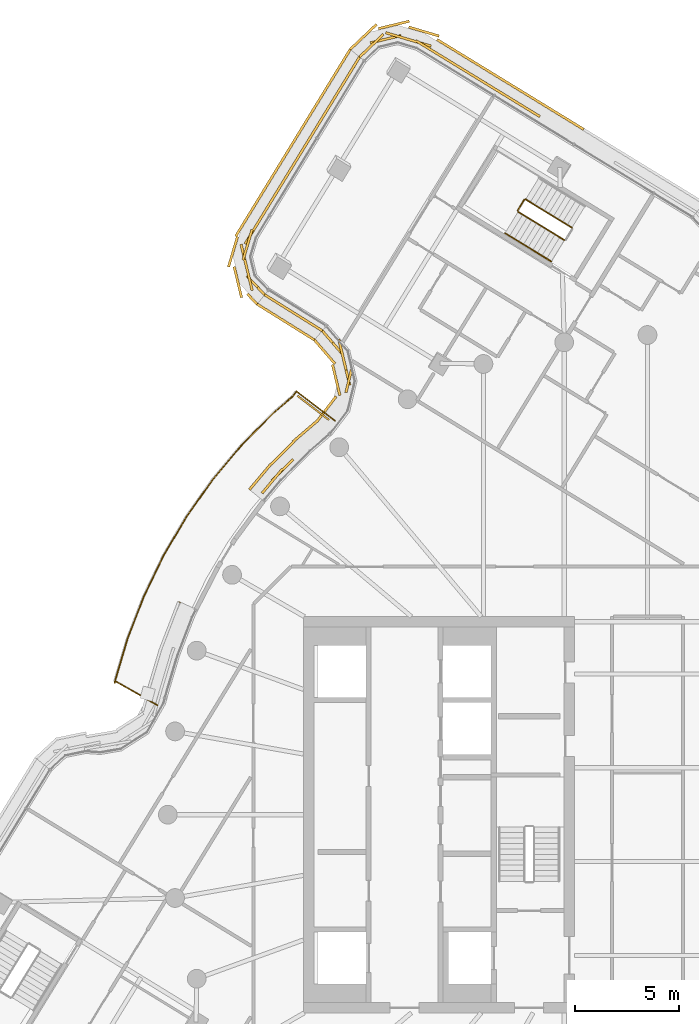
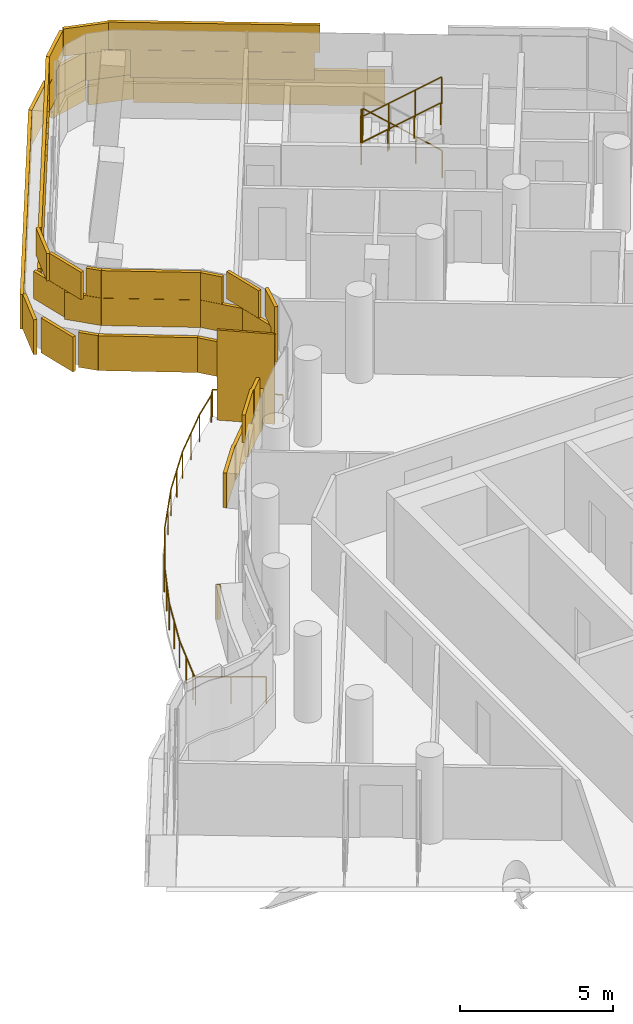
# One storey, part 25 of 27: 5 railings, 4 coverings, 1 shading device.
"""IFC4 building model written with IfcOpenShell, lengths in metres."""

from ifc_helpers import new_model, si_unit, direction, frame, origin, origin_2d, place, context, subcontext, project, spatial, rectangle, circle, extrude, material, layer, layer_set, type_object, element, save


model = new_model("IFC4")

# Units and contexts
model_context = context("Model", 3, precision=1e-05, world=origin(), true_north=direction((0.0, 1.0)))
body_context = subcontext(model_context, "Body", "Model", "MODEL_VIEW")
ifc_project = project(units=[si_unit("LENGTHUNIT", "METRE"), si_unit("AREAUNIT", "SQUARE_METRE"), si_unit("VOLUMEUNIT", "CUBIC_METRE"), si_unit("PLANEANGLEUNIT", "RADIAN"), si_unit("MASSUNIT", "GRAM", prefix="KILO")], contexts=[model_context])

# Site, building, storey
site_placement = place(None, origin())
site = spatial("IfcSite", under=ifc_project, at=site_placement, CompositionType="ELEMENT")
building_placement = place(site_placement, origin())
building = spatial("IfcBuilding", under=site, at=building_placement, Name="Tamarind Cross Interchange Tower", CompositionType="ELEMENT")
storey_placement = place(building_placement, frame((0.0, 0.0, 245.10009765625)))
storey = spatial("IfcBuildingStorey", under=building, at=storey_placement, Name="L62", CompositionType="ELEMENT", Elevation=245.10009765625)

# Railing
ifc_material_1 = material(Name="Stainless steel and laminated glass", Category="steel")
railing_type_1 = type_object("IfcRailingType", Name="Balcony guard", PredefinedType="BALUSTRADE", material=ifc_material_1)
railing_1_placement = place(storey_placement, frame((-14.9892578125, 18.888671875, 0.0)))
element("IfcRailing", 1, at=railing_1_placement, inside=storey, type_object=railing_type_1, Name="Balcony guard 02", PredefinedType="BALUSTRADE", context=body_context, shape_type="SweptSolid", body=[
    extrude(circle(Radius=0.02490234375, at=origin_2d()), frame((0.0, 0.0, 1.0751953125), z_axis=(-0.793936504963, 0.608000679347, 0.0), x_axis=(-0.608000679347, -0.793936504963, 0.0)), (0.0, 0.0, 1.0), 2.320068359375),
    extrude(circle(Radius=0.02490234375, at=origin_2d()), frame((-1.842041015625, 1.41064453125, 1.0751953125), z_axis=(-0.607560108369, -0.794273702648, 0.0), x_axis=(0.794273702648, -0.607560108369, 0.0)), (0.0, 0.0, 1.0), 0.32958984375),
    extrude(circle(Radius=0.02490234375, at=origin_2d()), frame((-2.042236328125, 1.14892578125, 1.0751953125), z_axis=(-0.758854375951, -0.651260344332, 0.0), x_axis=(0.651260344332, -0.758854375951, 0.0)), (0.0, 0.0, 1.0), 1.1572265625),
    extrude(circle(Radius=0.02490234375, at=origin_2d()), frame((-2.92041015625, 0.395263671875, 1.0751953125), z_axis=(-0.704065988125, -0.710134553705, 0.0), x_axis=(0.710134553705, -0.704065988125, 0.0)), (0.0, 0.0, 1.0), 2.17236328125),
    extrude(circle(Radius=0.02490234375, at=origin_2d()), frame((-4.449951171875, -1.1474609375, 1.0751953125), z_axis=(-0.642984125922, -0.765879503455, 0.0), x_axis=(0.765879503455, -0.642984125922, 0.0)), (0.0, 0.0, 1.0), 2.17529296875),
    extrude(circle(Radius=0.02490234375, at=origin_2d()), frame((-5.8486328125, -2.8134765625, 1.0751953125), z_axis=(-0.577590617379, -0.81632657602, 0.0), x_axis=(0.81632657602, -0.577590617379, 0.0)), (0.0, 0.0, 1.0), 2.175048828125),
    extrude(circle(Radius=0.02490234375, at=origin_2d()), frame((-7.10498046875, -4.589111328125, 1.0751953125), z_axis=(-0.508226290333, -0.861223570169, 0.0), x_axis=(0.861223570169, -0.508226290333, 0.0)), (0.0, 0.0, 1.0), 2.175048828125),
    extrude(circle(Radius=0.02490234375, at=origin_2d()), frame((-8.21044921875, -6.46240234375, 1.0751953125), z_axis=(-0.435276325285, -0.90029690694, 0.0), x_axis=(0.90029690694, -0.435276325285, 0.0)), (0.0, 0.0, 1.0), 2.175048828125),
    extrude(circle(Radius=0.02490234375, at=origin_2d()), frame((-9.1572265625, -8.420654296875, 1.0751953125), z_axis=(-0.359529307409, -0.933133793791, 0.0), x_axis=(0.933133793791, -0.359529307409, 0.0)), (0.0, 0.0, 1.0), 2.170166015625),
    extrude(circle(Radius=0.02490234375, at=origin_2d()), frame((-9.9375, -10.44580078125, 1.0751953125), z_axis=(-0.285322746113, -0.95843149497, 0.0), x_axis=(0.95843149497, -0.285322746113, 0.0)), (0.0, 0.0, 1.0), 1.891845703125),
    extrude(circle(Radius=0.02490234375, at=origin_2d()), frame((-10.477294921875, -12.259033203125, 1.0751953125), z_axis=(-0.265191013099, -0.964195896367, 0.0), x_axis=(0.964195896367, -0.265191013099, 0.0)), (0.0, 0.0, 1.0), 0.32861328125),
    extrude(circle(Radius=0.02490234375, at=origin_2d()), frame((-10.564453125, -12.575927734375, 1.0751953125), z_axis=(0.495334548853, 0.868702299245, 0.0), x_axis=(-0.868702299245, 0.495334548853, 0.0)), (0.0, 0.0, 1.0), 0.09814453125),
    extrude(circle(Radius=0.02490234375, at=origin_2d()), frame((-10.515869140625, -12.49072265625, 1.0751953125), z_axis=(0.868424395433, -0.495821610478, 0.0), x_axis=(0.495821610478, 0.868424395433, 0.0)), (0.0, 0.0, 1.0), 2.320068359375),
    extrude(circle(Radius=0.02001953125, at=origin_2d()), origin(), (0.0, 0.0, 1.0), 1.050048828125),
    extrude(circle(Radius=0.02001953125, at=origin_2d()), frame((-0.9208984375, 0.705322265625, 0.0)), (0.0, 0.0, 1.0), 1.050048828125),
    extrude(circle(Radius=0.02001953125, at=origin_2d()), frame((-1.842041015625, 1.41064453125, 0.0)), (0.0, 0.0, 1.0), 1.050048828125),
    extrude(circle(Radius=0.02001953125, at=origin_2d()), frame((-2.042236328125, 1.14892578125, 0.0)), (0.0, 0.0, 1.0), 1.050048828125),
    extrude(circle(Radius=0.02001953125, at=origin_2d()), frame((-2.92041015625, 0.395263671875, 0.0)), (0.0, 0.0, 1.0), 1.050048828125),
    extrude(circle(Radius=0.02001953125, at=origin_2d()), frame((-3.68505859375, -0.3759765625, 0.0)), (0.0, 0.0, 1.0), 1.050048828125),
    extrude(circle(Radius=0.02001953125, at=origin_2d()), frame((-4.449951171875, -1.1474609375, 0.0)), (0.0, 0.0, 1.0), 1.050048828125),
    extrude(circle(Radius=0.02001953125, at=origin_2d()), frame((-5.1494140625, -1.98046875, 0.0)), (0.0, 0.0, 1.0), 1.050048828125),
    extrude(circle(Radius=0.02001953125, at=origin_2d()), frame((-5.8486328125, -2.8134765625, 0.0)), (0.0, 0.0, 1.0), 1.050048828125),
    extrude(circle(Radius=0.02001953125, at=origin_2d()), frame((-6.476806640625, -3.701171875, 0.0)), (0.0, 0.0, 1.0), 1.050048828125),
    extrude(circle(Radius=0.02001953125, at=origin_2d()), frame((-7.10498046875, -4.589111328125, 0.0)), (0.0, 0.0, 1.0), 1.050048828125),
    extrude(circle(Radius=0.02001953125, at=origin_2d()), frame((-7.65771484375, -5.52587890625, 0.0)), (0.0, 0.0, 1.0), 1.050048828125),
    extrude(circle(Radius=0.02001953125, at=origin_2d()), frame((-8.21044921875, -6.46240234375, 0.0)), (0.0, 0.0, 1.0), 1.050048828125),
    extrude(circle(Radius=0.02001953125, at=origin_2d()), frame((-8.683837890625, -7.44140625, 0.0)), (0.0, 0.0, 1.0), 1.050048828125),
    extrude(circle(Radius=0.02001953125, at=origin_2d()), frame((-9.1572265625, -8.420654296875, 0.0)), (0.0, 0.0, 1.0), 1.050048828125),
    extrude(circle(Radius=0.02001953125, at=origin_2d()), frame((-9.54736328125, -9.43310546875, 0.0)), (0.0, 0.0, 1.0), 1.050048828125),
    extrude(circle(Radius=0.02001953125, at=origin_2d()), frame((-9.9375, -10.44580078125, 0.0)), (0.0, 0.0, 1.0), 1.050048828125),
    extrude(circle(Radius=0.02001953125, at=origin_2d()), frame((-10.20751953125, -11.3525390625, 0.0)), (0.0, 0.0, 1.0), 1.050048828125),
    extrude(circle(Radius=0.02001953125, at=origin_2d()), frame((-10.477294921875, -12.259033203125, 0.0)), (0.0, 0.0, 1.0), 1.050048828125),
    extrude(circle(Radius=0.02001953125, at=origin_2d()), frame((-10.564453125, -12.575927734375, 0.0)), (0.0, 0.0, 1.0), 1.050048828125),
    extrude(circle(Radius=0.02001953125, at=origin_2d()), frame((-10.515869140625, -12.49072265625, 0.0)), (0.0, 0.0, 1.0), 1.050048828125),
    extrude(circle(Radius=0.02001953125, at=origin_2d()), frame((-9.50830078125, -13.06591796875, 0.0)), (0.0, 0.0, 1.0), 1.050048828125),
    extrude(circle(Radius=0.02001953125, at=origin_2d()), frame((-8.5009765625, -13.64111328125, 0.0)), (0.0, 0.0, 1.0), 1.050048828125),
])

# Shading device
ifc_material_2 = material(Name="Bronze-finish aluminium louvre", Category="aluminium")
ifc_layer_1 = layer(ifc_material_2, 0.080078125)
ifc_layer_set_1 = layer_set([ifc_layer_1], Name="Bronze-finish aluminium louvre")
shading_device_type = type_object("IfcShadingDeviceType", Name="Operable louvre bay", PredefinedType="JALOUSIE", material=ifc_layer_set_1)
shading_device_placement = place(storey_placement, origin())
element("IfcShadingDevice", 2, at=shading_device_placement, inside=storey, type_object=shading_device_type, Name="LVR-L62-BAL02", PredefinedType="JALOUSIE", context=body_context, shape_type="SweptSolid", body=[
    extrude(rectangle(XDim=1.89990234375, YDim=0.080078125, at=origin_2d()), frame((-16.027099609375, 19.507080078125, -0.000244140625), z_axis=(0.0, 0.0, 1.0), x_axis=(-0.793963090259, 0.607965962293, 0.0)), (0.0, 0.0, 1.0), 3.60009765625),
])

# Railings
ifc_material_3 = material(Name="Stair guard")
railing_type_2 = type_object("IfcRailingType", Name="Stair guard", PredefinedType="GUARDRAIL", material=ifc_material_3)
railing_2_placement = place(storey_placement, frame((-3.622314453125, 28.1474609375, 0.16357421875)))
element("IfcRailing", 3, at=railing_2_placement, inside=storey, type_object=railing_type_2, Name="L62 ST4 stair guard 1", PredefinedType="GUARDRAIL", context=body_context, shape_type="SweptSolid", body=[
    extrude(circle(Radius=0.02392578125, at=origin_2d()), frame((0.0, 0.0, 1.076171875), z_axis=(-0.721696093843, 0.44210938994, 0.532629360305), x_axis=(-0.522372679878, -0.852717293901, 0.0)), (0.0, 0.0, 1.0), 3.072021484375),
    extrude(circle(Radius=0.02099609375, at=origin_2d()), origin(), (0.0, 0.0, 1.0), 1.052001953125),
    extrude(circle(Radius=0.02099609375, at=origin_2d()), frame((-0.739013671875, 0.45263671875, 0.54541015625)), (0.0, 0.0, 1.0), 1.052001953125),
    extrude(circle(Radius=0.02099609375, at=origin_2d()), frame((-1.47802734375, 0.905517578125, 1.0908203125)), (0.0, 0.0, 1.0), 1.052001953125),
    extrude(circle(Radius=0.02099609375, at=origin_2d()), frame((-2.217041015625, 1.358154296875, 1.63623046875)), (0.0, 0.0, 1.0), 1.052001953125),
])
railing_3_placement = place(storey_placement, frame((-5.907958984375, 29.4892578125, 1.7998046875)))
element("IfcRailing", 4, at=railing_3_placement, inside=storey, type_object=railing_type_2, Name="L62 ST4 stair guard 2", PredefinedType="GUARDRAIL", context=body_context, shape_type="SweptSolid", body=[
    extrude(circle(Radius=0.02392578125, at=origin_2d()), frame((0.0, 0.0, 1.076171875), z_axis=(-0.522371246556, -0.852718171949, 0.0), x_axis=(0.852718171949, -0.522371246556, 0.0)), (0.0, 0.0, 1.0), 0.60009765625),
    extrude(circle(Radius=0.02099609375, at=origin_2d()), origin(), (0.0, 0.0, 1.0), 1.052001953125),
    extrude(circle(Radius=0.02099609375, at=origin_2d()), frame((-0.3134765625, -0.51171875, 0.0)), (0.0, 0.0, 1.0), 1.052001953125),
])
railing_4_placement = place(storey_placement, frame((-6.204833984375, 28.90869140625, 1.963623046875)))
element("IfcRailing", 5, at=railing_4_placement, inside=storey, type_object=railing_type_2, Name="L62 ST4 stair guard 3", PredefinedType="GUARDRAIL", context=body_context, shape_type="SweptSolid", body=[
    extrude(circle(Radius=0.02392578125, at=origin_2d()), frame((0.0, 0.0, 1.076171875), z_axis=(0.721696093843, -0.44210938994, 0.532629360305), x_axis=(0.522372679878, 0.852717293901, 0.0)), (0.0, 0.0, 1.0), 3.072021484375),
    extrude(circle(Radius=0.02099609375, at=origin_2d()), origin(), (0.0, 0.0, 1.0), 1.052001953125),
    extrude(circle(Radius=0.02099609375, at=origin_2d()), frame((0.739013671875, -0.45263671875, 0.54541015625)), (0.0, 0.0, 1.0), 1.052001953125),
    extrude(circle(Radius=0.02099609375, at=origin_2d()), frame((1.47802734375, -0.905517578125, 1.0908203125)), (0.0, 0.0, 1.0), 1.052001953125),
    extrude(circle(Radius=0.02099609375, at=origin_2d()), frame((2.217041015625, -1.358154296875, 1.63623046875)), (0.0, 0.0, 1.0), 1.052001953125),
])
ifc_material_4 = material(Name="Stair handrail")
railing_type_3 = type_object("IfcRailingType", Name="Stair handrail", PredefinedType="HANDRAIL", material=ifc_material_4)
railing_5_placement = place(storey_placement, frame((-6.831787109375, 27.885498046875, 1.963623046875)))
element("IfcRailing", 6, at=railing_5_placement, inside=storey, type_object=railing_type_3, Name="L62 ST4 stair handrail 2", PredefinedType="HANDRAIL", context=body_context, shape_type="SweptSolid", body=[
    extrude(circle(Radius=0.02392578125, at=origin_2d()), frame((0.0, 0.0, 0.8759765625), z_axis=(0.721696093843, -0.44210938994, 0.532629360305), x_axis=(0.522372679878, 0.852717293901, 0.0)), (0.0, 0.0, 1.0), 3.072021484375),
    extrude(circle(Radius=0.02099609375, at=origin_2d()), origin(), (0.0, 0.0, 1.0), 0.851806640625),
    extrude(circle(Radius=0.02099609375, at=origin_2d()), frame((0.739013671875, -0.45263671875, 0.54541015625)), (0.0, 0.0, 1.0), 0.851806640625),
    extrude(circle(Radius=0.02099609375, at=origin_2d()), frame((1.47802734375, -0.905517578125, 1.0908203125)), (0.0, 0.0, 1.0), 0.851806640625),
    extrude(circle(Radius=0.02099609375, at=origin_2d()), frame((2.217041015625, -1.358154296875, 1.63623046875)), (0.0, 0.0, 1.0), 0.851806640625),
])

# Coverings
ifc_material_5 = material(Name="Terracotta", Category="masonry")
ifc_layer_2 = layer(ifc_material_5, 0.1201171875)
ifc_layer_set_2 = layer_set([ifc_layer_2], Name="Terracotta")
covering_type = type_object("IfcCoveringType", Name="Terracotta baguette screen unit", PredefinedType="MOLDING", material=ifc_layer_set_2)
covering_1_placement = place(storey_placement, origin())
element("IfcCovering", 7, at=covering_1_placement, inside=storey, type_object=covering_type, Name="SCR-L62-00-00", PredefinedType="MOLDING", context=body_context, shape_type="SweptSolid", body=[
    extrude(rectangle(XDim=1.510009765625, YDim=0.1201171875, at=origin_2d()), frame((-14.19580078125, 35.694091796875, 1.40380859375), z_axis=(0.0, 0.0, 1.0), x_axis=(-0.522367602426, -0.852720404316, 0.0)), (0.0, 0.0, 1.0), 1.092041015625),
    extrude(rectangle(XDim=1.52001953125, YDim=0.1201171875, at=origin_2d()), frame((-14.979248046875, 34.4150390625, 1.40380859375), z_axis=(0.0, 0.0, 1.0), x_axis=(-0.522367602426, -0.852720404316, 0.0)), (0.0, 0.0, 1.0), 1.092041015625),
    extrude(rectangle(XDim=1.52001953125, YDim=0.1201171875, at=origin_2d()), frame((-15.762939453125, 33.135986328125, 1.40380859375), z_axis=(0.0, 0.0, 1.0), x_axis=(-0.522367602426, -0.852720404316, 0.0)), (0.0, 0.0, 1.0), 1.092041015625),
    extrude(rectangle(XDim=1.52001953125, YDim=0.1201171875, at=origin_2d()), frame((-16.54638671875, 31.85693359375, 1.40380859375), z_axis=(0.0, 0.0, 1.0), x_axis=(-0.522367602426, -0.852720404316, 0.0)), (0.0, 0.0, 1.0), 1.092041015625),
    extrude(rectangle(XDim=1.52001953125, YDim=0.1201171875, at=origin_2d()), frame((-17.330078125, 30.577880859375, 1.40380859375), z_axis=(0.0, 0.0, 1.0), x_axis=(-0.522367602426, -0.852720404316, 0.0)), (0.0, 0.0, 1.0), 1.092041015625),
    extrude(rectangle(XDim=1.52001953125, YDim=0.1201171875, at=origin_2d()), frame((-18.113525390625, 29.298828125, 1.40380859375), z_axis=(0.0, 0.0, 1.0), x_axis=(-0.522367602426, -0.852720404316, 0.0)), (0.0, 0.0, 1.0), 1.092041015625),
    extrude(rectangle(XDim=1.52001953125, YDim=0.1201171875, at=origin_2d()), frame((-18.897216796875, 28.01953125, 1.40380859375), z_axis=(0.0, 0.0, 1.0), x_axis=(-0.522367602426, -0.852720404316, 0.0)), (0.0, 0.0, 1.0), 1.092041015625),
    extrude(rectangle(XDim=1.52001953125, YDim=0.1201171875, at=origin_2d()), frame((-19.307861328125, 26.6083984375, 1.40380859375), z_axis=(0.0, 0.0, 1.0), x_axis=(0.2335947064, -0.972334054295, 0.0)), (0.0, 0.0, 1.0), 1.092041015625),
    extrude(rectangle(XDim=1.25927734375, YDim=0.1201171875, at=origin_2d()), frame((-18.783935546875, 25.3818359375, 1.40380859375), z_axis=(0.0, 0.0, 1.0), x_axis=(0.68846597708, -0.725268638784, 0.0)), (0.0, 0.0, 1.0), 1.092041015625),
    extrude(rectangle(XDim=0.760009765625, YDim=0.1201171875, at=origin_2d()), frame((-14.0, 36.013916015625, 2.50390625), z_axis=(0.0, 0.0, 1.0), x_axis=(-0.522367602426, -0.852720404316, 0.0)), (0.0, 0.0, 1.0), 1.092041015625),
    extrude(rectangle(XDim=1.52001953125, YDim=0.1201171875, at=origin_2d()), frame((-14.587646484375, 35.0546875, 2.50390625), z_axis=(0.0, 0.0, 1.0), x_axis=(-0.522367602426, -0.852720404316, 0.0)), (0.0, 0.0, 1.0), 1.092041015625),
    extrude(rectangle(XDim=1.52001953125, YDim=0.1201171875, at=origin_2d()), frame((-15.37109375, 33.775634765625, 2.50390625), z_axis=(0.0, 0.0, 1.0), x_axis=(-0.522367602426, -0.852720404316, 0.0)), (0.0, 0.0, 1.0), 1.092041015625),
    extrude(rectangle(XDim=1.52001953125, YDim=0.1201171875, at=origin_2d()), frame((-16.15478515625, 32.496337890625, 2.50390625), z_axis=(0.0, 0.0, 1.0), x_axis=(-0.522367602426, -0.852720404316, 0.0)), (0.0, 0.0, 1.0), 1.092041015625),
    extrude(rectangle(XDim=1.52001953125, YDim=0.1201171875, at=origin_2d()), frame((-16.938232421875, 31.21728515625, 2.50390625), z_axis=(0.0, 0.0, 1.0), x_axis=(-0.522367602426, -0.852720404316, 0.0)), (0.0, 0.0, 1.0), 1.092041015625),
    extrude(rectangle(XDim=1.52001953125, YDim=0.1201171875, at=origin_2d()), frame((-17.7216796875, 29.938232421875, 2.50390625), z_axis=(0.0, 0.0, 1.0), x_axis=(-0.522367602426, -0.852720404316, 0.0)), (0.0, 0.0, 1.0), 1.092041015625),
    extrude(rectangle(XDim=1.52001953125, YDim=0.1201171875, at=origin_2d()), frame((-18.50537109375, 28.6591796875, 2.50390625), z_axis=(0.0, 0.0, 1.0), x_axis=(-0.522367602426, -0.852720404316, 0.0)), (0.0, 0.0, 1.0), 1.092041015625),
    extrude(rectangle(XDim=1.52001953125, YDim=0.1201171875, at=origin_2d()), frame((-19.17529296875, 27.32958984375, 2.50390625), z_axis=(0.0, 0.0, 1.0), x_axis=(-0.283868077215, -0.958863345184, 0.0)), (0.0, 0.0, 1.0), 1.092041015625),
    extrude(rectangle(XDim=1.52001953125, YDim=0.1201171875, at=origin_2d()), frame((-19.1328125, 25.879150390625, 2.50390625), z_axis=(0.0, 0.0, 1.0), x_axis=(0.2335947064, -0.972334054295, 0.0)), (0.0, 0.0, 1.0), 1.092041015625),
    extrude(rectangle(XDim=0.50927734375, YDim=0.1201171875, at=origin_2d()), frame((-18.525634765625, 25.10986328125, 2.50390625), z_axis=(0.0, 0.0, 1.0), x_axis=(0.68846597708, -0.725268638784, 0.0)), (0.0, 0.0, 1.0), 1.092041015625),
    extrude(rectangle(XDim=1.510009765625, YDim=0.1201171875, at=origin_2d()), frame((-14.6484375, 36.05419921875, 0.00390625), z_axis=(0.0, 0.0, 1.0), x_axis=(-0.522367602426, -0.852720404316, 0.0)), (0.0, 0.0, 1.0), 1.39208984375),
    extrude(rectangle(XDim=1.52001953125, YDim=0.1201171875, at=origin_2d()), frame((-15.429443359375, 34.779296875, 0.00390625), z_axis=(0.0, 0.0, 1.0), x_axis=(-0.522367602426, -0.852720404316, 0.0)), (0.0, 0.0, 1.0), 1.39208984375),
    extrude(rectangle(XDim=1.52001953125, YDim=0.1201171875, at=origin_2d()), frame((-16.212890625, 33.500244140625, 0.00390625), z_axis=(0.0, 0.0, 1.0), x_axis=(-0.522367602426, -0.852720404316, 0.0)), (0.0, 0.0, 1.0), 1.39208984375),
    extrude(rectangle(XDim=1.52001953125, YDim=0.1201171875, at=origin_2d()), frame((-16.996337890625, 32.22119140625, 0.00390625), z_axis=(0.0, 0.0, 1.0), x_axis=(-0.522367602426, -0.852720404316, 0.0)), (0.0, 0.0, 1.0), 1.39208984375),
    extrude(rectangle(XDim=1.52001953125, YDim=0.1201171875, at=origin_2d()), frame((-17.780029296875, 30.942138671875, 0.00390625), z_axis=(0.0, 0.0, 1.0), x_axis=(-0.522367602426, -0.852720404316, 0.0)), (0.0, 0.0, 1.0), 1.39208984375),
    extrude(rectangle(XDim=1.52001953125, YDim=0.1201171875, at=origin_2d()), frame((-18.5634765625, 29.6630859375, 0.00390625), z_axis=(0.0, 0.0, 1.0), x_axis=(-0.522367602426, -0.852720404316, 0.0)), (0.0, 0.0, 1.0), 1.39208984375),
    extrude(rectangle(XDim=1.52001953125, YDim=0.1201171875, at=origin_2d()), frame((-19.34716796875, 28.384033203125, 0.00390625), z_axis=(0.0, 0.0, 1.0), x_axis=(-0.522367602426, -0.852720404316, 0.0)), (0.0, 0.0, 1.0), 1.39208984375),
    extrude(rectangle(XDim=1.52001953125, YDim=0.1201171875, at=origin_2d()), frame((-19.874267578125, 26.99072265625, 0.00390625), z_axis=(0.0, 0.0, 1.0), x_axis=(-0.283868077215, -0.958863345184, 0.0)), (0.0, 0.0, 1.0), 1.39208984375),
    extrude(rectangle(XDim=1.52001953125, YDim=0.1201171875, at=origin_2d()), frame((-19.640380859375, 25.53515625, 0.00390625), z_axis=(0.0, 0.0, 1.0), x_axis=(0.2335947064, -0.972334054295, 0.0)), (0.0, 0.0, 1.0), 1.39208984375),
    extrude(rectangle(XDim=0.67431640625, YDim=0.1201171875, at=origin_2d()), frame((-18.951904296875, 24.725341796875, 0.00390625), z_axis=(0.0, 0.0, 1.0), x_axis=(0.68846597708, -0.725268638784, 0.0)), (0.0, 0.0, 1.0), 1.39208984375),
])
covering_2_placement = place(storey_placement, origin())
element("IfcCovering", 8, at=covering_2_placement, inside=storey, type_object=covering_type, Name="SCR-L62-01-00", PredefinedType="MOLDING", context=body_context, shape_type="SweptSolid", body=[
    extrude(rectangle(XDim=1.510009765625, YDim=0.1201171875, at=origin_2d()), frame((-17.717529296875, 24.53173828125, 1.40380859375), z_axis=(0.0, 0.0, 1.0), x_axis=(0.84825181928, -0.529593099548, 0.0)), (0.0, 0.0, 1.0), 1.092041015625),
    extrude(rectangle(XDim=1.52001953125, YDim=0.1201171875, at=origin_2d()), frame((-16.4453125, 23.7373046875, 1.40380859375), z_axis=(0.0, 0.0, 1.0), x_axis=(0.84825181928, -0.529593099548, 0.0)), (0.0, 0.0, 1.0), 1.092041015625),
    extrude(rectangle(XDim=0.263427734375, YDim=0.1201171875, at=origin_2d()), frame((-15.70166015625, 23.27294921875, 1.40380859375), z_axis=(0.0, 0.0, 1.0), x_axis=(0.84825181928, -0.529593099548, 0.0)), (0.0, 0.0, 1.0), 1.092041015625),
    extrude(rectangle(XDim=0.760009765625, YDim=0.1201171875, at=origin_2d()), frame((-18.03564453125, 24.730224609375, 2.50390625), z_axis=(0.0, 0.0, 1.0), x_axis=(0.84825181928, -0.529593099548, 0.0)), (0.0, 0.0, 1.0), 1.092041015625),
    extrude(rectangle(XDim=1.52001953125, YDim=0.1201171875, at=origin_2d()), frame((-17.08154296875, 24.134521484375, 2.50390625), z_axis=(0.0, 0.0, 1.0), x_axis=(0.84825181928, -0.529593099548, 0.0)), (0.0, 0.0, 1.0), 1.092041015625),
    extrude(rectangle(XDim=1.013427734375, YDim=0.1201171875, at=origin_2d()), frame((-16.01953125, 23.4716796875, 2.50390625), z_axis=(0.0, 0.0, 1.0), x_axis=(0.84825181928, -0.529593099548, 0.0)), (0.0, 0.0, 1.0), 1.092041015625),
    extrude(rectangle(XDim=1.510009765625, YDim=0.1201171875, at=origin_2d()), frame((-18.079345703125, 24.080810546875, 0.00390625), z_axis=(0.0, 0.0, 1.0), x_axis=(0.84825181928, -0.529593099548, 0.0)), (0.0, 0.0, 1.0), 1.39208984375),
    extrude(rectangle(XDim=1.52001953125, YDim=0.1201171875, at=origin_2d()), frame((-16.811279296875, 23.2890625, 0.00390625), z_axis=(0.0, 0.0, 1.0), x_axis=(0.84825181928, -0.529593099548, 0.0)), (0.0, 0.0, 1.0), 1.39208984375),
    extrude(rectangle(XDim=0.25, YDim=0.1201171875, at=origin_2d()), frame((-16.07763671875, 22.8310546875, 0.00390625), z_axis=(0.0, 0.0, 1.0), x_axis=(0.84825181928, -0.529593099548, 0.0)), (0.0, 0.0, 1.0), 1.39208984375),
])
covering_3_placement = place(storey_placement, origin())
element("IfcCovering", 9, at=covering_3_placement, inside=storey, type_object=covering_type, Name="SCR-L62-02-00", PredefinedType="MOLDING", context=body_context, shape_type="SweptSolid", body=[
    extrude(rectangle(XDim=1.510009765625, YDim=0.1201171875, at=origin_2d()), frame((-15.103515625, 22.638671875, 1.40380859375), z_axis=(0.0, 0.0, 1.0), x_axis=(0.654128562551, -0.756383384042, 0.0)), (0.0, 0.0, 1.0), 1.092041015625),
    extrude(rectangle(XDim=1.52001953125, YDim=0.1201171875, at=origin_2d()), frame((-14.453125, 21.334228515625, 1.40380859375), z_axis=(0.0, 0.0, 1.0), x_axis=(0.232379992731, -0.972625076264, 0.0)), (0.0, 0.0, 1.0), 1.092041015625),
    extrude(rectangle(XDim=0.37841796875, YDim=0.1201171875, at=origin_2d()), frame((-14.414306640625, 20.426025390625, 1.40380859375), z_axis=(0.0, 0.0, 1.0), x_axis=(-0.23555224672, -0.971861687209, 0.0)), (0.0, 0.0, 1.0), 1.092041015625),
    extrude(rectangle(XDim=1.44140625, YDim=0.1201171875, at=origin_2d()), frame((-17.505615234375, 16.524169921875, 1.40380859375), z_axis=(0.0, 0.0, 1.0), x_axis=(-0.704057148523, -0.710143317658, 0.0)), (0.0, 0.0, 1.0), 1.092041015625),
    extrude(rectangle(XDim=0.760009765625, YDim=0.1201171875, at=origin_2d()), frame((-15.3486328125, 22.922119140625, 2.50390625), z_axis=(0.0, 0.0, 1.0), x_axis=(0.654128562551, -0.756383384042, 0.0)), (0.0, 0.0, 1.0), 1.092041015625),
    extrude(rectangle(XDim=1.52001953125, YDim=0.1201171875, at=origin_2d()), frame((-14.62744140625, 22.063720703125, 2.50390625), z_axis=(0.0, 0.0, 1.0), x_axis=(0.232379992731, -0.972625076264, 0.0)), (0.0, 0.0, 1.0), 1.092041015625),
    extrude(rectangle(XDim=1.12841796875, YDim=0.1201171875, at=origin_2d()), frame((-14.325927734375, 20.790283203125, 2.50390625), z_axis=(0.0, 0.0, 1.0), x_axis=(-0.23555224672, -0.971861687209, 0.0)), (0.0, 0.0, 1.0), 1.092041015625),
    extrude(rectangle(XDim=0.69140625, YDim=0.1201171875, at=origin_2d()), frame((-17.241455078125, 16.79052734375, 2.50390625), z_axis=(0.0, 0.0, 1.0), x_axis=(-0.704057148523, -0.710143317658, 0.0)), (0.0, 0.0, 1.0), 1.092041015625),
    extrude(rectangle(XDim=1.52001953125, YDim=0.1201171875, at=origin_2d()), frame((-17.990478515625, 15.99853515625, 2.50390625), z_axis=(0.0, 0.0, 1.0), x_axis=(-0.643009266048, -0.765858396687, 0.0)), (0.0, 0.0, 1.0), 1.092041015625),
    extrude(rectangle(XDim=1.510009765625, YDim=0.1201171875, at=origin_2d()), frame((-15.4775390625, 22.19384765625, 0.00390625), z_axis=(0.0, 0.0, 1.0), x_axis=(0.654128562551, -0.756383384042, 0.0)), (0.0, 0.0, 1.0), 1.39208984375),
    extrude(rectangle(XDim=1.52001953125, YDim=0.1201171875, at=origin_2d()), frame((-14.92626953125, 20.84423828125, 0.00390625), z_axis=(0.0, 0.0, 1.0), x_axis=(0.232379992731, -0.972625076264, 0.0)), (0.0, 0.0, 1.0), 1.39208984375),
    extrude(rectangle(XDim=1.52001953125, YDim=0.1201171875, at=origin_2d()), frame((-15.394287109375, 19.4521484375, 0.00390625), z_axis=(0.0, 0.0, 1.0), x_axis=(-0.607965962293, -0.793963090259, 0.0)), (0.0, 0.0, 1.0), 1.39208984375),
    extrude(rectangle(XDim=1.52001953125, YDim=0.1201171875, at=origin_2d()), frame((-16.42626953125, 18.374755859375, 0.00390625), z_axis=(0.0, 0.0, 1.0), x_axis=(-0.758843907099, -0.651272542534, 0.0)), (0.0, 0.0, 1.0), 1.39208984375),
    extrude(rectangle(XDim=1.52001953125, YDim=0.1201171875, at=origin_2d()), frame((-17.508056640625, 17.337158203125, 0.00390625), z_axis=(0.0, 0.0, 1.0), x_axis=(-0.704057148523, -0.710143317658, 0.0)), (0.0, 0.0, 1.0), 1.39208984375),
    extrude(rectangle(XDim=1.52001953125, YDim=0.1201171875, at=origin_2d()), frame((-18.53369140625, 16.244140625, 0.00390625), z_axis=(0.0, 0.0, 1.0), x_axis=(-0.643009266048, -0.765858396687, 0.0)), (0.0, 0.0, 1.0), 1.39208984375),
    extrude(rectangle(XDim=0.11669921875, YDim=0.1201171875, at=origin_2d()), frame((-19.047119140625, 15.6328125, 0.00390625), z_axis=(0.0, 0.0, 1.0), x_axis=(-0.643009266048, -0.765858396687, 0.0)), (0.0, 0.0, 1.0), 1.39208984375),
    extrude(rectangle(XDim=0.03076171875, YDim=0.1201171875, at=origin_2d()), frame((-22.439208984375, 10.19482421875, 0.00390625), z_axis=(0.0, 0.0, 1.0), x_axis=(-0.435326231914, -0.900272776334, 0.0)), (0.0, 0.0, 1.0), 1.39208984375),
])
covering_4_placement = place(storey_placement, origin())
element("IfcCovering", 10, at=covering_4_placement, inside=storey, type_object=covering_type, Name="SCR-L62-07-01", PredefinedType="MOLDING", context=body_context, shape_type="SweptSolid", body=[
    extrude(rectangle(XDim=1.52001953125, YDim=0.1201171875, at=origin_2d()), frame((-5.96923828125, 33.97119140625, 1.40380859375), z_axis=(0.0, 0.0, 1.0), x_axis=(-0.852720404316, 0.522367602426, 0.0)), (0.0, 0.0, 1.0), 1.092041015625),
    extrude(rectangle(XDim=1.52001953125, YDim=0.1201171875, at=origin_2d()), frame((-7.248291015625, 34.7548828125, 1.40380859375), z_axis=(0.0, 0.0, 1.0), x_axis=(-0.852720404316, 0.522367602426, 0.0)), (0.0, 0.0, 1.0), 1.092041015625),
    extrude(rectangle(XDim=1.52001953125, YDim=0.1201171875, at=origin_2d()), frame((-8.52734375, 35.538330078125, 1.40380859375), z_axis=(0.0, 0.0, 1.0), x_axis=(-0.852720404316, 0.522367602426, 0.0)), (0.0, 0.0, 1.0), 1.092041015625),
    extrude(rectangle(XDim=1.52001953125, YDim=0.1201171875, at=origin_2d()), frame((-9.806396484375, 36.322021484375, 1.40380859375), z_axis=(0.0, 0.0, 1.0), x_axis=(-0.852720404316, 0.522367602426, 0.0)), (0.0, 0.0, 1.0), 1.092041015625),
    extrude(rectangle(XDim=1.52001953125, YDim=0.1201171875, at=origin_2d()), frame((-11.102783203125, 37.066650390625, 1.40380859375), z_axis=(0.0, 0.0, 1.0), x_axis=(-0.958863345184, 0.283868077215, 0.0)), (0.0, 0.0, 1.0), 1.092041015625),
    extrude(rectangle(XDim=1.52001953125, YDim=0.1201171875, at=origin_2d()), frame((-12.549072265625, 37.18603515625, 1.40380859375), z_axis=(0.0, 0.0, 1.0), x_axis=(-0.972334054295, -0.2335947064, 0.0)), (0.0, 0.0, 1.0), 1.092041015625),
    extrude(rectangle(XDim=0.82275390625, YDim=0.1201171875, at=origin_2d()), frame((-13.50927734375, 36.613525390625, 1.40380859375), z_axis=(0.0, 0.0, 1.0), x_axis=(-0.725268638784, -0.68846597708, 0.0)), (0.0, 0.0, 1.0), 1.092041015625),
    extrude(rectangle(XDim=0.95556640625, YDim=0.1201171875, at=origin_2d()), frame((-5.566162109375, 33.724365234375, 2.50390625), z_axis=(0.0, 0.0, 1.0), x_axis=(-0.852720404316, 0.522367602426, 0.0)), (0.0, 0.0, 1.0), 1.092041015625),
    extrude(rectangle(XDim=1.52001953125, YDim=0.1201171875, at=origin_2d()), frame((-6.60888671875, 34.363037109375, 2.50390625), z_axis=(0.0, 0.0, 1.0), x_axis=(-0.852720404316, 0.522367602426, 0.0)), (0.0, 0.0, 1.0), 1.092041015625),
    extrude(rectangle(XDim=1.52001953125, YDim=0.1201171875, at=origin_2d()), frame((-7.887939453125, 35.146484375, 2.50390625), z_axis=(0.0, 0.0, 1.0), x_axis=(-0.852720404316, 0.522367602426, 0.0)), (0.0, 0.0, 1.0), 1.092041015625),
    extrude(rectangle(XDim=1.52001953125, YDim=0.1201171875, at=origin_2d()), frame((-9.1669921875, 35.93017578125, 2.50390625), z_axis=(0.0, 0.0, 1.0), x_axis=(-0.852720404316, 0.522367602426, 0.0)), (0.0, 0.0, 1.0), 1.092041015625),
    extrude(rectangle(XDim=1.52001953125, YDim=0.1201171875, at=origin_2d()), frame((-10.446044921875, 36.713623046875, 2.50390625), z_axis=(0.0, 0.0, 1.0), x_axis=(-0.852720404316, 0.522367602426, 0.0)), (0.0, 0.0, 1.0), 1.092041015625),
    extrude(rectangle(XDim=1.52001953125, YDim=0.1201171875, at=origin_2d()), frame((-11.822021484375, 37.279541015625, 2.50390625), z_axis=(0.0, 0.0, 1.0), x_axis=(-0.958863345184, 0.283868077215, 0.0)), (0.0, 0.0, 1.0), 1.092041015625),
    extrude(rectangle(XDim=1.52001953125, YDim=0.1201171875, at=origin_2d()), frame((-13.214599609375, 36.893310546875, 2.50390625), z_axis=(0.0, 0.0, 1.0), x_axis=(-0.725268638784, -0.68846597708, 0.0)), (0.0, 0.0, 1.0), 1.092041015625),
    extrude(rectangle(XDim=0.07275390625, YDim=0.1201171875, at=origin_2d()), frame((-13.78125, 36.355224609375, 2.50390625), z_axis=(0.0, 0.0, 1.0), x_axis=(-0.725268638784, -0.68846597708, 0.0)), (0.0, 0.0, 1.0), 1.092041015625),
    extrude(rectangle(XDim=0.739013671875, YDim=0.1201171875, at=origin_2d()), frame((-3.376953125, 33.056396484375, 0.00390625), z_axis=(0.0, 0.0, 1.0), x_axis=(-0.852720404316, 0.522367602426, 0.0)), (0.0, 0.0, 1.0), 1.39208984375),
    extrude(rectangle(XDim=1.52001953125, YDim=0.1201171875, at=origin_2d()), frame((-4.322998046875, 33.635986328125, 0.00390625), z_axis=(0.0, 0.0, 1.0), x_axis=(-0.852720404316, 0.522367602426, 0.0)), (0.0, 0.0, 1.0), 1.39208984375),
    extrude(rectangle(XDim=1.52001953125, YDim=0.1201171875, at=origin_2d()), frame((-5.60205078125, 34.41943359375, 0.00390625), z_axis=(0.0, 0.0, 1.0), x_axis=(-0.852720404316, 0.522367602426, 0.0)), (0.0, 0.0, 1.0), 1.39208984375),
    extrude(rectangle(XDim=1.52001953125, YDim=0.1201171875, at=origin_2d()), frame((-6.88134765625, 35.203125, 0.00390625), z_axis=(0.0, 0.0, 1.0), x_axis=(-0.852720404316, 0.522367602426, 0.0)), (0.0, 0.0, 1.0), 1.39208984375),
    extrude(rectangle(XDim=1.52001953125, YDim=0.1201171875, at=origin_2d()), frame((-8.160400390625, 35.986572265625, 0.00390625), z_axis=(0.0, 0.0, 1.0), x_axis=(-0.852720404316, 0.522367602426, 0.0)), (0.0, 0.0, 1.0), 1.39208984375),
    extrude(rectangle(XDim=1.52001953125, YDim=0.1201171875, at=origin_2d()), frame((-9.439453125, 36.770263671875, 0.00390625), z_axis=(0.0, 0.0, 1.0), x_axis=(-0.852720404316, 0.522367602426, 0.0)), (0.0, 0.0, 1.0), 1.39208984375),
    extrude(rectangle(XDim=1.52001953125, YDim=0.1201171875, at=origin_2d()), frame((-10.719482421875, 37.551513671875, 0.00390625), z_axis=(0.0, 0.0, 1.0), x_axis=(-0.958863345184, 0.283868077215, 0.0)), (0.0, 0.0, 1.0), 1.39208984375),
    extrude(rectangle(XDim=1.52001953125, YDim=0.1201171875, at=origin_2d()), frame((-12.160400390625, 37.86962890625, 0.00390625), z_axis=(0.0, 0.0, 1.0), x_axis=(-0.972334054295, -0.2335947064, 0.0)), (0.0, 0.0, 1.0), 1.39208984375),
    extrude(rectangle(XDim=1.52001953125, YDim=0.1201171875, at=origin_2d()), frame((-13.540771484375, 37.375, 0.00390625), z_axis=(0.0, 0.0, 1.0), x_axis=(-0.725268638784, -0.68846597708, 0.0)), (0.0, 0.0, 1.0), 1.39208984375),
    extrude(rectangle(XDim=0.24365234375, YDim=0.1201171875, at=origin_2d()), frame((-14.165771484375, 36.78173828125, 0.00390625), z_axis=(0.0, 0.0, 1.0), x_axis=(-0.725268638784, -0.68846597708, 0.0)), (0.0, 0.0, 1.0), 1.39208984375),
])

save(model, "model.ifc")
